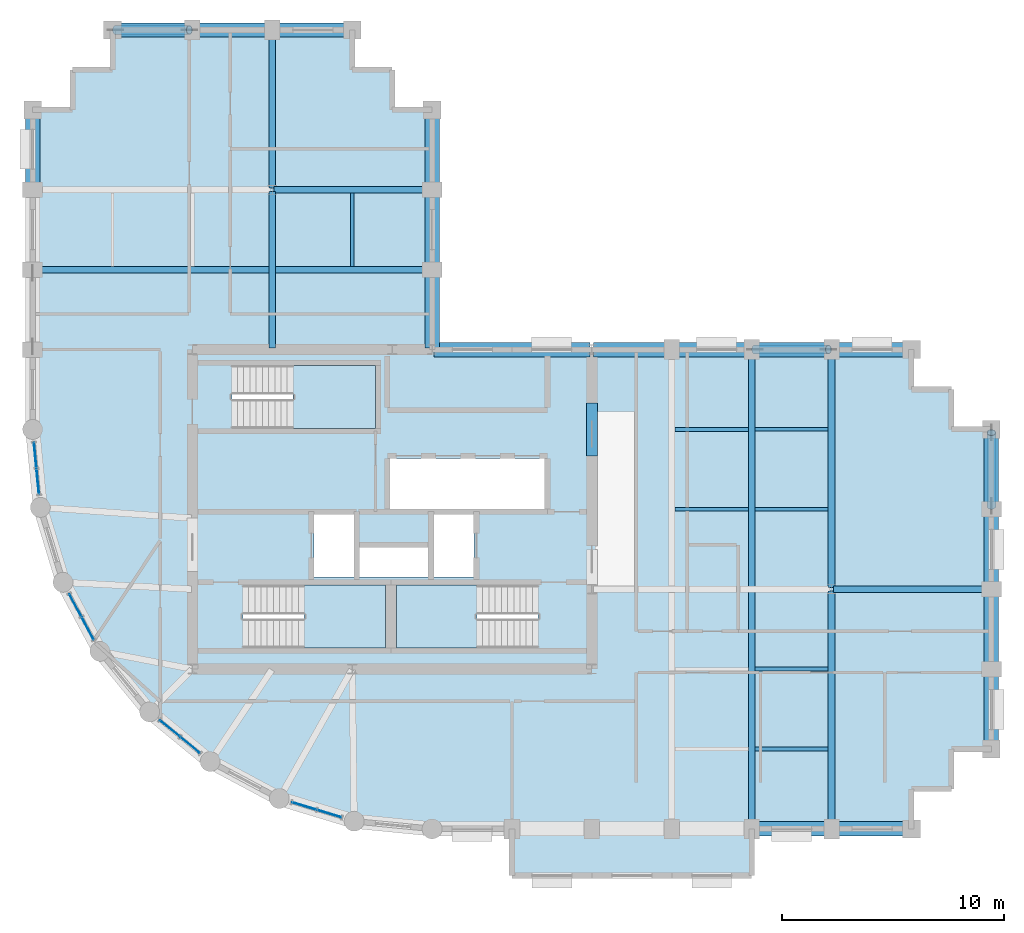
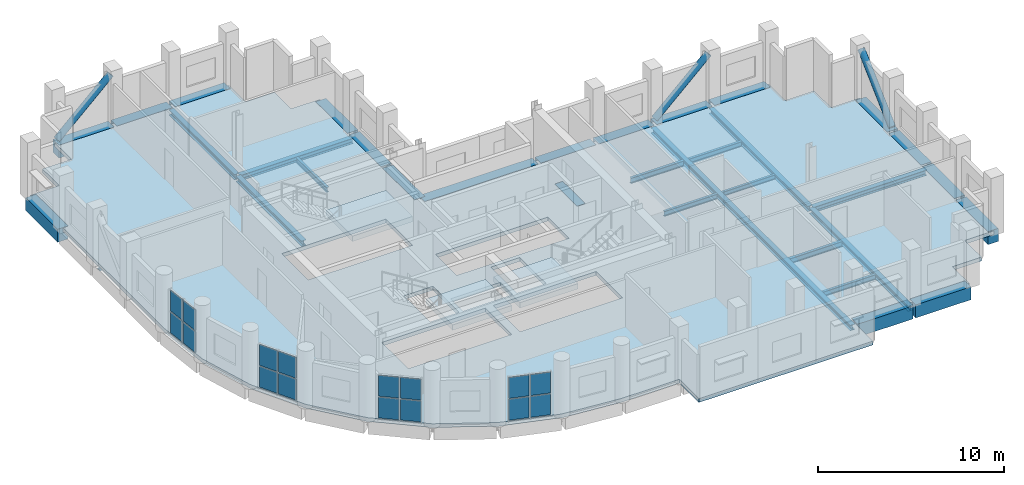
# One storey, part 5 of 11: 34 beams, 16 plates, 4 slabs, 3 members, 7 elements without a shape of their own.
"""IFC4 building model written with IfcOpenShell, lengths in metres."""

from ifc_helpers import new_model, si_unit, direction, frame, origin, origin_2d, place, context, subcontext, project, spatial, polyline, rectangle, hollow_circle, i_section, outline, extrude, material, layer, layer_set, material_profile, profile_set, type_object, element, aggregate, save


model = new_model("IFC4")

# Units and contexts
model_context = context("Model", 3, precision=1e-05, world=origin(), true_north=direction((0.0, 1.0)))
body_context = subcontext(model_context, "Body", "Model", "MODEL_VIEW")
ifc_project = project(units=[si_unit("LENGTHUNIT", "METRE"), si_unit("AREAUNIT", "SQUARE_METRE"), si_unit("VOLUMEUNIT", "CUBIC_METRE"), si_unit("PLANEANGLEUNIT", "RADIAN"), si_unit("MASSUNIT", "GRAM", prefix="KILO")], contexts=[model_context])

# Site, building, storey
site_placement = place(None, origin())
site = spatial("IfcSite", under=ifc_project, at=site_placement, CompositionType="ELEMENT")
building_placement = place(site_placement, origin())
building = spatial("IfcBuilding", under=site, at=building_placement, Name="Solnavia Interchange Tower", CompositionType="ELEMENT")
storey_placement = place(building_placement, frame((0.0, 0.0, 205.199951171875)))
storey = spatial("IfcBuildingStorey", under=building, at=storey_placement, Name="L51", CompositionType="ELEMENT", Elevation=205.199951171875)

# Beams
ifc_material_1 = material(Name="Concrete C50/60", Category="concrete")
ifc_material_profile_1 = material_profile(ifc_material_1, rectangle(XDim=0.5, YDim=0.800048828125, at=origin_2d()), Name="RC 500x800")
ifc_profile_set_1 = profile_set([ifc_material_profile_1], Name="Concrete C50/60")
beam_type_1 = type_object("IfcBeamType", Name="Beam-Coupling-RC500x800", PredefinedType="LINTEL", material=ifc_profile_set_1)
beam_1_placement = place(storey_placement, frame((32.39990234375, 20.39990234375, -0.39990234375), z_axis=(0.0, 1.0, 0.0), x_axis=(-1.0, 0.0, 0.0)))
element("IfcBeam", 1, at=beam_1_placement, inside=storey, type_object=beam_type_1, Name="CPB-L51-E2 Core coupling lintel beam", PredefinedType="LINTEL", context=body_context, shape_type="SweptSolid", body=[
    extrude(rectangle(XDim=0.5, YDim=0.800048828125, at=origin_2d()), origin(), (0.0, 0.0, 1.0), 2.400146484375),
])
ifc_material_2 = material(Name="Steel S460", Category="steel")
ifc_material_profile_2 = material_profile(ifc_material_2, i_section(OverallWidth=0.300048828125, OverallDepth=0.360107421875, WebThickness=0.012451171875, FlangeThickness=0.0224609375, FilletRadius=0.027099609375, at=origin_2d()), Name="HEB 360")
ifc_profile_set_2 = profile_set([ifc_material_profile_2], Name="Steel S460")
beam_type_2 = type_object("IfcBeamType", Name="Beam-Girder-HEB360", PredefinedType="BEAM", material=ifc_profile_set_2)
beam_2_placement = place(storey_placement, frame((43.280029296875, 14.39990234375, -0.429931640625), z_axis=(1.0, 0.0, 0.0), x_axis=(0.0, 1.0, 0.0)))
element("IfcBeam", 2, at=beam_2_placement, inside=storey, type_object=beam_type_2, Name="GRD-L51-ES02 East wing spine girder", PredefinedType="BEAM", context=body_context, shape_type="SweptSolid", body=[
    extrude(i_section(OverallWidth=0.300048828125, OverallDepth=0.360107421875, WebThickness=0.012451171875, FlangeThickness=0.0224609375, FilletRadius=0.027099609375, at=origin_2d()), origin(), (0.0, 0.0, 1.0), 7.0400390625),
])
beam_3_placement = place(storey_placement, frame((39.60009765625, 3.679931640625, -0.429931640625), z_axis=(0.0, 1.0, 0.0), x_axis=(-1.0, 0.0, 0.0)))
element("IfcBeam", 3, at=beam_3_placement, inside=storey, type_object=beam_type_2, Name="GRD-L51-EW04 East wing primary floor girder", PredefinedType="BEAM", context=body_context, shape_type="SweptSolid", body=[
    extrude(i_section(OverallWidth=0.300048828125, OverallDepth=0.360107421875, WebThickness=0.012451171875, FlangeThickness=0.0224609375, FilletRadius=0.027099609375, at=origin_2d()), origin(), (0.0, 0.0, 1.0), 21.440185546875),
])
for number, where, z_axis, x_axis, name in (
    (4, (18.0, 25.280029296875, -0.429931640625), (0.0, 1.0, 0.0), (-1.0, 0.0, 0.0), "GRD-L51-NS07 North wing spine girder"),
    (5, (18.0, 32.47998046875, -0.429931640625), (0.0, 1.0, 0.0), (-1.0, 0.0, 0.0), "GRD-L51-NS08 North wing spine girder"),
    (6, (18.080078125, 32.39990234375, -0.429931640625), (1.0, 0.0, 0.0), (0.0, 1.0, 0.0), "GRD-L51-NW11 North wing primary floor girder"),
):
    element("IfcBeam", number, at=place(storey_placement, frame(where, z_axis=z_axis, x_axis=x_axis)), inside=storey, type_object=beam_type_2, Name=name, PredefinedType="BEAM", context=body_context, shape_type="SweptSolid", body=[
        extrude(i_section(OverallWidth=0.300048828125, OverallDepth=0.360107421875, WebThickness=0.012451171875, FlangeThickness=0.0224609375, FilletRadius=0.027099609375, at=origin_2d()), origin(), (0.0, 0.0, 1.0), 7.0400390625),
    ])
ifc_material_3 = material(Name="Steel S355", Category="steel")
ifc_material_profile_3 = material_profile(ifc_material_3, i_section(OverallWidth=0.14990234375, OverallDepth=0.300048828125, WebThickness=0.007080078125, FlangeThickness=0.0107421875, FilletRadius=0.014892578125, at=origin_2d()), Name="IPE 300")
ifc_profile_set_3 = profile_set([ifc_material_profile_3], Name="Steel S355")
beam_type_3 = type_object("IfcBeamType", Name="Beam-Joist-IPE300", PredefinedType="JOIST", material=ifc_profile_set_3)
beam_4_placement = place(storey_placement, frame((39.75, 18.0, -0.39990234375), z_axis=(1.0, 0.0, 0.0), x_axis=(0.0, 1.0, 0.0)))
element("IfcBeam", 7, at=beam_4_placement, inside=storey, type_object=beam_type_3, Name="JST-L51-E06 East wing secondary joist", PredefinedType="JOIST", context=body_context, shape_type="SweptSolid", body=[
    extrude(i_section(OverallWidth=0.14990234375, OverallDepth=0.300048828125, WebThickness=0.007080078125, FlangeThickness=0.0107421875, FilletRadius=0.014892578125, at=origin_2d()), origin(), (0.0, 0.0, 1.0), 3.300048828125),
])
ifc_material_profile_4 = material_profile(ifc_material_3, i_section(OverallWidth=0.159912109375, OverallDepth=0.330078125, WebThickness=0.007568359375, FlangeThickness=0.011474609375, FilletRadius=0.01806640625, at=origin_2d()), Name="IPE 330")
ifc_profile_set_4 = profile_set([ifc_material_profile_4], Name="Steel S355")
beam_type_4 = type_object("IfcBeamType", Name="Beam-Joist-IPE330", PredefinedType="JOIST", material=ifc_profile_set_4)
for number, where, z_axis, x_axis, name in (
    (8, (39.75, 7.199951171875, -0.4150390625), (1.0, 0.0, 0.0), (0.0, 1.0, 0.0), "JST-L51-E02 East wing secondary joist"),
    (9, (36.14990234375, 18.0, -0.4150390625), (1.0, 0.0, 0.0), (0.0, 1.0, 0.0), "JST-L51-E05 East wing secondary joist"),
    (10, (39.75, 21.60009765625, -0.4150390625), (1.0, 0.0, 0.0), (0.0, 1.0, 0.0), "JST-L51-E08 East wing secondary joist"),
    (11, (21.60009765625, 28.949951171875, -0.4150390625), (0.0, 1.0, 0.0), (-1.0, 0.0, 0.0), "JST-L51-N11 North wing secondary joist"),
):
    element("IfcBeam", number, at=place(storey_placement, frame(where, z_axis=z_axis, x_axis=x_axis)), inside=storey, type_object=beam_type_4, Name=name, PredefinedType="JOIST", context=body_context, shape_type="SweptSolid", body=[
        extrude(i_section(OverallWidth=0.159912109375, OverallDepth=0.330078125, WebThickness=0.007568359375, FlangeThickness=0.011474609375, FilletRadius=0.01806640625, at=origin_2d()), origin(), (0.0, 0.0, 1.0), 3.300048828125),
    ])
ifc_material_profile_5 = material_profile(ifc_material_3, i_section(OverallWidth=0.169921875, OverallDepth=0.360107421875, WebThickness=0.008056640625, FlangeThickness=0.0126953125, FilletRadius=0.01806640625, at=origin_2d()), Name="IPE 360")
ifc_profile_set_5 = profile_set([ifc_material_profile_5], Name="Steel S355")
beam_type_5 = type_object("IfcBeamType", Name="Beam-Joist-IPE360", PredefinedType="JOIST", material=ifc_profile_set_5)
for number, where, z_axis, x_axis, name in (
    (12, (39.75, 10.800048828125, -0.429931640625), (1.0, 0.0, 0.0), (0.0, 1.0, 0.0), "JST-L51-E04 East wing secondary joist"),
    (13, (36.14990234375, 21.60009765625, -0.429931640625), (1.0, 0.0, 0.0), (0.0, 1.0, 0.0), "JST-L51-E07 East wing secondary joist"),
):
    element("IfcBeam", number, at=place(storey_placement, frame(where, z_axis=z_axis, x_axis=x_axis)), inside=storey, type_object=beam_type_5, Name=name, PredefinedType="JOIST", context=body_context, shape_type="SweptSolid", body=[
        extrude(i_section(OverallWidth=0.169921875, OverallDepth=0.360107421875, WebThickness=0.008056640625, FlangeThickness=0.0126953125, FilletRadius=0.01806640625, at=origin_2d()), origin(), (0.0, 0.0, 1.0), 3.300048828125),
    ])
ifc_material_profile_6 = material_profile(ifc_material_3, i_section(OverallWidth=0.300048828125, OverallDepth=0.31005859375, WebThickness=0.009033203125, FlangeThickness=0.015380859375, FilletRadius=0.027099609375, at=origin_2d()), Name="HEA 320")
ifc_profile_set_6 = profile_set([ifc_material_profile_6], Name="Steel S355")
beam_type_6 = type_object("IfcBeamType", Name="Beam-Primary-HEA320", PredefinedType="BEAM", material=ifc_profile_set_6)
beam_5_placement = place(storey_placement, frame((7.280029296875, 28.800048828125, -0.405029296875), z_axis=(1.0, 0.0, 0.0), x_axis=(0.0, 1.0, 0.0)))
element("IfcBeam", 14, at=beam_5_placement, inside=storey, type_object=beam_type_6, Name="GRD-L51-NW09 North wing primary floor girder", PredefinedType="BEAM", context=body_context, shape_type="SweptSolid", body=[
    extrude(i_section(OverallWidth=0.300048828125, OverallDepth=0.31005859375, WebThickness=0.009033203125, FlangeThickness=0.015380859375, FilletRadius=0.027099609375, at=origin_2d()), origin(), (0.0, 0.0, 1.0), 17.840087890625),
])
ifc_material_profile_7 = material_profile(ifc_material_3, i_section(OverallWidth=0.300048828125, OverallDepth=0.35009765625, WebThickness=0.010009765625, FlangeThickness=0.017578125, FilletRadius=0.027099609375, at=origin_2d()), Name="HEA 360")
ifc_profile_set_7 = profile_set([ifc_material_profile_7], Name="Steel S355")
beam_type_7 = type_object("IfcBeamType", Name="Beam-Primary-HEA360", PredefinedType="BEAM", material=ifc_profile_set_7)
for number, where, z_axis, x_axis, name in (
    (15, (43.199951171875, 3.679931640625, -0.425048828125), (0.0, 1.0, 0.0), (-1.0, 0.0, 0.0), "GRD-L51-EW05 East wing primary floor girder"),
    (16, (43.199951171875, 14.47998046875, -0.425048828125), (0.0, 1.0, 0.0), (-1.0, 0.0, 0.0), "GRD-L51-EW06 East wing primary floor girder"),
):
    element("IfcBeam", number, at=place(storey_placement, frame(where, z_axis=z_axis, x_axis=x_axis)), inside=storey, type_object=beam_type_7, Name=name, PredefinedType="BEAM", context=body_context, shape_type="SweptSolid", body=[
        extrude(i_section(OverallWidth=0.300048828125, OverallDepth=0.35009765625, WebThickness=0.010009765625, FlangeThickness=0.017578125, FilletRadius=0.027099609375, at=origin_2d()), origin(), (0.0, 0.0, 1.0), 10.64013671875),
    ])
ifc_material_profile_8 = material_profile(ifc_material_1, rectangle(XDim=0.64990234375, YDim=0.85009765625, at=origin_2d()), Name="RC 650x850")
ifc_profile_set_8 = profile_set([ifc_material_profile_8], Name="Concrete C50/60")
beam_type_8 = type_object("IfcBeamType", Name="Beam-Spandrel-RC650x850", PredefinedType="SPANDREL", material=ifc_profile_set_8)
beam_6_placement = place(storey_placement, frame((39.679931640625, 3.60009765625, -0.425048828125), z_axis=(1.0, 0.0, 0.0), x_axis=(0.0, 1.0, 0.0)))
element("IfcBeam", 17, at=beam_6_placement, inside=storey, type_object=beam_type_8, Name="SPB-L51-13 Framed-tube perimeter spandrel beam", PredefinedType="SPANDREL", context=body_context, shape_type="SweptSolid", body=[
    extrude(rectangle(XDim=0.64990234375, YDim=0.85009765625, at=origin_2d()), origin(), (0.0, 0.0, 1.0), 3.440185546875),
])
for number, where, z_axis, x_axis, name in (
    (18, (43.280029296875, 3.60009765625, -0.425048828125), (1.0, 0.0, 0.0), (0.0, 1.0, 0.0), "SPB-L51-14 Framed-tube perimeter spandrel beam"),
    (19, (50.39990234375, 7.280029296875, -0.425048828125), (0.0, 1.0, 0.0), (-1.0, 0.0, 0.0), "SPB-L51-15 Framed-tube perimeter spandrel beam"),
):
    element("IfcBeam", number, at=place(storey_placement, frame(where, z_axis=z_axis, x_axis=x_axis)), inside=storey, type_object=beam_type_8, Name=name, PredefinedType="SPANDREL", context=body_context, shape_type="SweptSolid", body=[
        extrude(rectangle(XDim=0.64990234375, YDim=0.85009765625, at=origin_2d()), origin(), (0.0, 0.0, 1.0), 3.43994140625),
    ])
beam_7_placement = place(storey_placement, frame((50.39990234375, 10.8798828125, -0.425048828125), z_axis=(0.0, 1.0, 0.0), x_axis=(-1.0, 0.0, 0.0)))
element("IfcBeam", 20, at=beam_7_placement, inside=storey, type_object=beam_type_8, Name="SPB-L51-16 Framed-tube perimeter spandrel beam", PredefinedType="SPANDREL", context=body_context, shape_type="SweptSolid", body=[
    extrude(rectangle(XDim=0.64990234375, YDim=0.85009765625, at=origin_2d()), origin(), (0.0, 0.0, 1.0), 3.440185546875),
])
for number, where, z_axis, x_axis, name in (
    (21, (50.39990234375, 14.47998046875, -0.425048828125), (0.0, 1.0, 0.0), (-1.0, 0.0, 0.0), "SPB-L51-17 Framed-tube perimeter spandrel beam"),
    (22, (50.39990234375, 18.080078125, -0.425048828125), (0.0, 1.0, 0.0), (-1.0, 0.0, 0.0), "SPB-L51-18 Framed-tube perimeter spandrel beam"),
    (23, (46.719970703125, 25.199951171875, -0.425048828125), (-1.0, 0.0, 0.0), (0.0, -1.0, 0.0), "SPB-L51-19 Framed-tube perimeter spandrel beam"),
):
    element("IfcBeam", number, at=place(storey_placement, frame(where, z_axis=z_axis, x_axis=x_axis)), inside=storey, type_object=beam_type_8, Name=name, PredefinedType="SPANDREL", context=body_context, shape_type="SweptSolid", body=[
        extrude(rectangle(XDim=0.64990234375, YDim=0.85009765625, at=origin_2d()), origin(), (0.0, 0.0, 1.0), 3.43994140625),
    ])
beam_8_placement = place(storey_placement, frame((43.1201171875, 25.199951171875, -0.425048828125), z_axis=(-1.0, 0.0, 0.0), x_axis=(0.0, -1.0, 0.0)))
element("IfcBeam", 24, at=beam_8_placement, inside=storey, type_object=beam_type_8, Name="SPB-L51-20 Framed-tube perimeter spandrel beam", PredefinedType="SPANDREL", context=body_context, shape_type="SweptSolid", body=[
    extrude(rectangle(XDim=0.64990234375, YDim=0.85009765625, at=origin_2d()), origin(), (0.0, 0.0, 1.0), 3.440185546875),
])
for number, where, z_axis, x_axis, name in (
    (25, (39.52001953125, 25.199951171875, -0.425048828125), (-1.0, 0.0, 0.0), (0.0, -1.0, 0.0), "SPB-L51-21 Framed-tube perimeter spandrel beam"),
    (26, (35.919921875, 25.199951171875, -0.425048828125), (-1.0, 0.0, 0.0), (0.0, -1.0, 0.0), "SPB-L51-22 Framed-tube perimeter spandrel beam"),
):
    element("IfcBeam", number, at=place(storey_placement, frame(where, z_axis=z_axis, x_axis=x_axis)), inside=storey, type_object=beam_type_8, Name=name, PredefinedType="SPANDREL", context=body_context, shape_type="SweptSolid", body=[
        extrude(rectangle(XDim=0.64990234375, YDim=0.85009765625, at=origin_2d()), origin(), (0.0, 0.0, 1.0), 3.43994140625),
    ])
beam_9_placement = place(storey_placement, frame((32.320068359375, 25.199951171875, -0.425048828125), z_axis=(-1.0, 0.0, 0.0), x_axis=(0.0, -1.0, 0.0)))
element("IfcBeam", 27, at=beam_9_placement, inside=storey, type_object=beam_type_8, Name="SPB-L51-23 Framed-tube perimeter spandrel beam", PredefinedType="SPANDREL", context=body_context, shape_type="SweptSolid", body=[
    extrude(rectangle(XDim=0.64990234375, YDim=0.85009765625, at=origin_2d()), origin(), (0.0, 0.0, 1.0), 7.0400390625),
])
beam_10_placement = place(storey_placement, frame((25.199951171875, 25.280029296875, -0.425048828125), z_axis=(0.0, 1.0, 0.0), x_axis=(-1.0, 0.0, 0.0)))
element("IfcBeam", 28, at=beam_10_placement, inside=storey, type_object=beam_type_8, Name="SPB-L51-24 Framed-tube perimeter spandrel beam", PredefinedType="SPANDREL", context=body_context, shape_type="SweptSolid", body=[
    extrude(rectangle(XDim=0.64990234375, YDim=0.85009765625, at=origin_2d()), origin(), (0.0, 0.0, 1.0), 3.43994140625),
])
beam_11_placement = place(storey_placement, frame((25.199951171875, 28.8798828125, -0.425048828125), z_axis=(0.0, 1.0, 0.0), x_axis=(-1.0, 0.0, 0.0)))
element("IfcBeam", 29, at=beam_11_placement, inside=storey, type_object=beam_type_8, Name="SPB-L51-25 Framed-tube perimeter spandrel beam", PredefinedType="SPANDREL", context=body_context, shape_type="SweptSolid", body=[
    extrude(rectangle(XDim=0.64990234375, YDim=0.85009765625, at=origin_2d()), origin(), (0.0, 0.0, 1.0), 3.440185546875),
])
for number, where, z_axis, x_axis, name in (
    (30, (25.199951171875, 32.47998046875, -0.425048828125), (0.0, 1.0, 0.0), (-1.0, 0.0, 0.0), "SPB-L51-26 Framed-tube perimeter spandrel beam"),
    (31, (21.52001953125, 39.60009765625, -0.425048828125), (-1.0, 0.0, 0.0), (0.0, -1.0, 0.0), "SPB-L51-27 Framed-tube perimeter spandrel beam"),
    (32, (17.919921875, 39.60009765625, -0.425048828125), (-1.0, 0.0, 0.0), (0.0, -1.0, 0.0), "SPB-L51-28 Framed-tube perimeter spandrel beam"),
):
    element("IfcBeam", number, at=place(storey_placement, frame(where, z_axis=z_axis, x_axis=x_axis)), inside=storey, type_object=beam_type_8, Name=name, PredefinedType="SPANDREL", context=body_context, shape_type="SweptSolid", body=[
        extrude(rectangle(XDim=0.64990234375, YDim=0.85009765625, at=origin_2d()), origin(), (0.0, 0.0, 1.0), 3.43994140625),
    ])
beam_12_placement = place(storey_placement, frame((14.320068359375, 39.60009765625, -0.425048828125), z_axis=(-1.0, 0.0, 0.0), x_axis=(0.0, -1.0, 0.0)))
element("IfcBeam", 33, at=beam_12_placement, inside=storey, type_object=beam_type_8, Name="SPB-L51-29 Framed-tube perimeter spandrel beam", PredefinedType="SPANDREL", context=body_context, shape_type="SweptSolid", body=[
    extrude(rectangle(XDim=0.64990234375, YDim=0.85009765625, at=origin_2d()), origin(), (0.0, 0.0, 1.0), 3.440185546875),
])
beam_13_placement = place(storey_placement, frame((7.199951171875, 35.919921875, -0.425048828125), z_axis=(0.0, -1.0, 0.0), x_axis=(1.0, 0.0, 0.0)))
element("IfcBeam", 34, at=beam_13_placement, inside=storey, type_object=beam_type_8, Name="SPB-L51-30 Framed-tube perimeter spandrel beam", PredefinedType="SPANDREL", context=body_context, shape_type="SweptSolid", body=[
    extrude(rectangle(XDim=0.64990234375, YDim=0.85009765625, at=origin_2d()), origin(), (0.0, 0.0, 1.0), 3.43994140625),
])

# Members
ifc_material_profile_9 = material_profile(ifc_material_2, hollow_circle(Radius=0.203125, WallThickness=0.02001953125, at=origin_2d()), Name="CHS 406.4x20")
ifc_profile_set_9 = profile_set([ifc_material_profile_9], Name="Steel S460")
member_type = type_object("IfcMemberType", Name="Brace-Perim-CHS406", PredefinedType="BRACE", material=ifc_profile_set_9)
for number, where, z_axis, x_axis, name in (
    (35, (50.39990234375, 18.139892578125, 0.179931640625), (0.0, 0.728709492854, 0.68482295159), (-1.0, 0.0, 0.0), "BRC-L51-02 Perimeter tube diagonal brace"),
    (36, (10.93994140625, 39.60009765625, 0.179931640625), (0.728709492854, 0.0, 0.68482295159), (0.0, 1.0, 0.0), "BRC-L51-03 Perimeter tube diagonal brace"),
    (37, (39.739990234375, 25.199951171875, 0.179931640625), (0.728709492854, 0.0, 0.68482295159), (0.0, 1.0, 0.0), "BRC-L51-04 Perimeter tube diagonal brace"),
):
    element("IfcMember", number, at=place(storey_placement, frame(where, z_axis=z_axis, x_axis=x_axis)), inside=storey, type_object=member_type, Name=name, PredefinedType="BRACE", context=body_context, shape_type="SweptSolid", body=[
        extrude(hollow_circle(Radius=0.203125, WallThickness=0.02001953125, at=origin_2d()), origin(), (0.0, 0.0, 1.0), 4.55615234375),
    ])

# Curtain wall, plates
ifc_material_4 = material(Name="Aluminium Alloy 6063-T6", Category="aluminium")
ifc_layer_1 = layer(ifc_material_4, 0.239990234375)
ifc_layer_set_1 = layer_set([ifc_layer_1], Name="Aluminium Alloy 6063-T6")
curtain_wall_type = type_object("IfcCurtainWallType", Name="CurtainWall-Drum-CTW2", PredefinedType="NOTDEFINED", material=ifc_layer_set_1)
curtain_wall_1_placement = place(storey_placement, origin())
curtain_wall_1 = element("IfcCurtainWall", 38, at=curtain_wall_1_placement, inside=storey, type_object=curtain_wall_type, Name="CTW-L51-D45 CTW-2 curtain wall", PredefinedType="NOTDEFINED")
ifc_material_5 = material(Name="Double-Glazed Low-E IGU Glass", Category="glass")
ifc_layer_2 = layer(ifc_material_5, 0.031982421875)
ifc_layer_set_2 = layer_set([ifc_layer_2], Name="Double-Glazed Low-E IGU Glass")
plate_type = type_object("IfcPlateType", Name="CW-Panel-Solar-32", PredefinedType="CURTAIN_PANEL", material=ifc_layer_set_2)
plate_1_placement = place(storey_placement, frame((7.314697265625, 20.435791015625, 0.06494140625), z_axis=(0.0, 0.0, 1.0), x_axis=(0.098043088306, -0.995182170678, 0.0)))
plate_1 = element("IfcPlate", 39, at=plate_1_placement, type_object=plate_type, Name="CTW-2 panel 1.1", PredefinedType="CURTAIN_PANEL", context=body_context, shape_type="SweptSolid", body=[
    extrude(rectangle(XDim=1.114501953125, YDim=0.031982421875, at=origin_2d()), origin(), (0.0, 0.0, 1.0), 1.367431640625),
])
plate_2_placement = place(storey_placement, frame((7.314697265625, 20.435791015625, 1.49755859375), z_axis=(0.0, 0.0, 1.0), x_axis=(0.098043088306, -0.995182170678, 0.0)))
plate_2 = element("IfcPlate", 40, at=plate_2_placement, type_object=plate_type, Name="CTW-2 panel 1.2", PredefinedType="CURTAIN_PANEL", context=body_context, shape_type="SweptSolid", body=[
    extrude(rectangle(XDim=1.114501953125, YDim=0.031982421875, at=origin_2d()), origin(), (0.0, 0.0, 1.0), 1.367431640625),
])
plate_3_placement = place(storey_placement, frame((7.431396484375, 19.252197265625, 0.06494140625), z_axis=(0.0, 0.0, 1.0), x_axis=(0.098043088306, -0.995182170678, 0.0)))
plate_3 = element("IfcPlate", 41, at=plate_3_placement, type_object=plate_type, Name="CTW-2 panel 2.1", PredefinedType="CURTAIN_PANEL", context=body_context, shape_type="SweptSolid", body=[
    extrude(rectangle(XDim=1.114501953125, YDim=0.031982421875, at=origin_2d()), origin(), (0.0, 0.0, 1.0), 1.367431640625),
])
plate_4_placement = place(storey_placement, frame((7.431396484375, 19.252197265625, 1.49755859375), z_axis=(0.0, 0.0, 1.0), x_axis=(0.098043088306, -0.995182170678, 0.0)))
plate_4 = element("IfcPlate", 42, at=plate_4_placement, type_object=plate_type, Name="CTW-2 panel 2.2", PredefinedType="CURTAIN_PANEL", context=body_context, shape_type="SweptSolid", body=[
    extrude(rectangle(XDim=1.114501953125, YDim=0.031982421875, at=origin_2d()), origin(), (0.0, 0.0, 1.0), 1.367431640625),
])
aggregate(curtain_wall_1, [plate_1, plate_2, plate_3, plate_4])

curtain_wall_2_placement = place(storey_placement, origin())
curtain_wall_2 = element("IfcCurtainWall", 43, at=curtain_wall_2_placement, inside=storey, type_object=curtain_wall_type, Name="CTW-L51-D47 CTW-2 curtain wall", PredefinedType="NOTDEFINED")
plate_5_placement = place(storey_placement, frame((9.12158203125, 13.680419921875, 0.06494140625), z_axis=(0.0, 0.0, 1.0), x_axis=(0.471560876964, -0.881833509976, 0.0)))
plate_5 = element("IfcPlate", 44, at=plate_5_placement, type_object=plate_type, Name="CTW-2 panel 1.1", PredefinedType="CURTAIN_PANEL", context=body_context, shape_type="SweptSolid", body=[
    extrude(rectangle(XDim=1.114501953125, YDim=0.031982421875, at=origin_2d()), origin(), (0.0, 0.0, 1.0), 1.367431640625),
])
plate_6_placement = place(storey_placement, frame((9.12158203125, 13.680419921875, 1.49755859375), z_axis=(0.0, 0.0, 1.0), x_axis=(0.471560876964, -0.881833509976, 0.0)))
plate_6 = element("IfcPlate", 45, at=plate_6_placement, type_object=plate_type, Name="CTW-2 panel 1.2", PredefinedType="CURTAIN_PANEL", context=body_context, shape_type="SweptSolid", body=[
    extrude(rectangle(XDim=1.114501953125, YDim=0.031982421875, at=origin_2d()), origin(), (0.0, 0.0, 1.0), 1.367431640625),
])
plate_7_placement = place(storey_placement, frame((9.682373046875, 12.631591796875, 0.06494140625), z_axis=(0.0, 0.0, 1.0), x_axis=(0.471560876964, -0.881833509976, 0.0)))
plate_7 = element("IfcPlate", 46, at=plate_7_placement, type_object=plate_type, Name="CTW-2 panel 2.1", PredefinedType="CURTAIN_PANEL", context=body_context, shape_type="SweptSolid", body=[
    extrude(rectangle(XDim=1.114501953125, YDim=0.031982421875, at=origin_2d()), origin(), (0.0, 0.0, 1.0), 1.367431640625),
])
plate_8_placement = place(storey_placement, frame((9.682373046875, 12.631591796875, 1.49755859375), z_axis=(0.0, 0.0, 1.0), x_axis=(0.471560876964, -0.881833509976, 0.0)))
plate_8 = element("IfcPlate", 47, at=plate_8_placement, type_object=plate_type, Name="CTW-2 panel 2.2", PredefinedType="CURTAIN_PANEL", context=body_context, shape_type="SweptSolid", body=[
    extrude(rectangle(XDim=1.114501953125, YDim=0.031982421875, at=origin_2d()), origin(), (0.0, 0.0, 1.0), 1.367431640625),
])
aggregate(curtain_wall_2, [plate_5, plate_6, plate_7, plate_8])

curtain_wall_3_placement = place(storey_placement, origin())
curtain_wall_3 = element("IfcCurtainWall", 48, at=curtain_wall_3_placement, inside=storey, type_object=curtain_wall_type, Name="CTW-L51-D49 CTW-2 curtain wall", PredefinedType="NOTDEFINED")
plate_9_placement = place(storey_placement, frame((13.376220703125, 8.130126953125, 0.06494140625), z_axis=(0.0, 0.0, 1.0), x_axis=(0.773103093557, -0.634280384951, 0.0)))
plate_9 = element("IfcPlate", 49, at=plate_9_placement, type_object=plate_type, Name="CTW-2 panel 1.1", PredefinedType="CURTAIN_PANEL", context=body_context, shape_type="SweptSolid", body=[
    extrude(rectangle(XDim=1.1142578125, YDim=0.031982421875, at=origin_2d()), origin(), (0.0, 0.0, 1.0), 1.367431640625),
])
plate_10_placement = place(storey_placement, frame((13.376220703125, 8.130126953125, 1.49755859375), z_axis=(0.0, 0.0, 1.0), x_axis=(0.773103093557, -0.634280384951, 0.0)))
plate_10 = element("IfcPlate", 50, at=plate_10_placement, type_object=plate_type, Name="CTW-2 panel 1.2", PredefinedType="CURTAIN_PANEL", context=body_context, shape_type="SweptSolid", body=[
    extrude(rectangle(XDim=1.1142578125, YDim=0.031982421875, at=origin_2d()), origin(), (0.0, 0.0, 1.0), 1.367431640625),
])
plate_11_placement = place(storey_placement, frame((14.295654296875, 7.375732421875, 0.06494140625), z_axis=(0.0, 0.0, 1.0), x_axis=(0.773103093557, -0.634280384951, 0.0)))
plate_11 = element("IfcPlate", 51, at=plate_11_placement, type_object=plate_type, Name="CTW-2 panel 2.1", PredefinedType="CURTAIN_PANEL", context=body_context, shape_type="SweptSolid", body=[
    extrude(rectangle(XDim=1.1142578125, YDim=0.031982421875, at=origin_2d()), origin(), (0.0, 0.0, 1.0), 1.367431640625),
])
plate_12_placement = place(storey_placement, frame((14.295654296875, 7.375732421875, 1.49755859375), z_axis=(0.0, 0.0, 1.0), x_axis=(0.773103093557, -0.634280384951, 0.0)))
plate_12 = element("IfcPlate", 52, at=plate_12_placement, type_object=plate_type, Name="CTW-2 panel 2.2", PredefinedType="CURTAIN_PANEL", context=body_context, shape_type="SweptSolid", body=[
    extrude(rectangle(XDim=1.1142578125, YDim=0.031982421875, at=origin_2d()), origin(), (0.0, 0.0, 1.0), 1.367431640625),
])
aggregate(curtain_wall_3, [plate_9, plate_10, plate_11, plate_12])

curtain_wall_4_placement = place(storey_placement, origin())
curtain_wall_4 = element("IfcCurtainWall", 53, at=curtain_wall_4_placement, inside=storey, type_object=curtain_wall_type, Name="CTW-L51-D51 CTW-2 curtain wall", PredefinedType="NOTDEFINED")
plate_13_placement = place(storey_placement, frame((19.43115234375, 4.630615234375, 0.06494140625), z_axis=(0.0, 0.0, 1.0), x_axis=(0.956942072515, -0.290278951786, 0.0)))
plate_13 = element("IfcPlate", 54, at=plate_13_placement, type_object=plate_type, Name="CTW-2 panel 1.1", PredefinedType="CURTAIN_PANEL", context=body_context, shape_type="SweptSolid", body=[
    extrude(rectangle(XDim=1.114013671875, YDim=0.031982421875, at=origin_2d()), origin(), (0.0, 0.0, 1.0), 1.367431640625),
])
plate_14_placement = place(storey_placement, frame((19.43115234375, 4.630615234375, 1.49755859375), z_axis=(0.0, 0.0, 1.0), x_axis=(0.956942072515, -0.290278951786, 0.0)))
plate_14 = element("IfcPlate", 55, at=plate_14_placement, type_object=plate_type, Name="CTW-2 panel 1.2", PredefinedType="CURTAIN_PANEL", context=body_context, shape_type="SweptSolid", body=[
    extrude(rectangle(XDim=1.114013671875, YDim=0.031982421875, at=origin_2d()), origin(), (0.0, 0.0, 1.0), 1.367431640625),
])
plate_15_placement = place(storey_placement, frame((20.56884765625, 4.285400390625, 0.06494140625), z_axis=(0.0, 0.0, 1.0), x_axis=(0.956942072515, -0.290278951786, 0.0)))
plate_15 = element("IfcPlate", 56, at=plate_15_placement, type_object=plate_type, Name="CTW-2 panel 2.1", PredefinedType="CURTAIN_PANEL", context=body_context, shape_type="SweptSolid", body=[
    extrude(rectangle(XDim=1.114013671875, YDim=0.031982421875, at=origin_2d()), origin(), (0.0, 0.0, 1.0), 1.367431640625),
])
plate_16_placement = place(storey_placement, frame((20.56884765625, 4.285400390625, 1.49755859375), z_axis=(0.0, 0.0, 1.0), x_axis=(0.956942072515, -0.290278951786, 0.0)))
plate_16 = element("IfcPlate", 57, at=plate_16_placement, type_object=plate_type, Name="CTW-2 panel 2.2", PredefinedType="CURTAIN_PANEL", context=body_context, shape_type="SweptSolid", body=[
    extrude(rectangle(XDim=1.114013671875, YDim=0.031982421875, at=origin_2d()), origin(), (0.0, 0.0, 1.0), 1.367431640625),
])
aggregate(curtain_wall_4, [plate_13, plate_14, plate_15, plate_16])

# Stair, slab
ifc_material_6 = material(Name="Concrete C40/50", Category="concrete")
stair_type = type_object("IfcStairType", Name="Stair-Dogleg-RC", PredefinedType="HALF_TURN_STAIR", material=ifc_material_6)
stair_1_placement = place(storey_placement, origin())
stair_1 = element("IfcStair", 58, at=stair_1_placement, inside=storey, type_object=stair_type, Name="L51 Core exit stair 1", PredefinedType="HALF_TURN_STAIR")
ifc_layer_3 = layer(ifc_material_6, 0.35009765625)
ifc_layer_set_3 = layer_set([ifc_layer_3], Name="Concrete C40/50")
slab_type_1 = type_object("IfcSlabType", Name="Slab-StairLanding-350", PredefinedType="LANDING", material=ifc_layer_set_3)
slab_1_placement = place(storey_placement, frame((0.0, 0.0, 1.550048828125)))
slab_1 = element("IfcSlab", 59, at=slab_1_placement, type_object=slab_type_1, Name="ST-1 landing 1", PredefinedType="LANDING", context=body_context, shape_type="SweptSolid", body=[
    extrude(outline(polyline([(19.427978515625, 11.75), (23.10009765625, 11.75), (23.10009765625, 14.590087890625), (19.427978515625, 14.590087890625), (19.427978515625, 11.75)])), origin(), (0.0, 0.0, 1.0), 0.35009765625),
])
aggregate(stair_1, [slab_1])

stair_2_placement = place(storey_placement, origin())
stair_2 = element("IfcStair", 60, at=stair_2_placement, inside=storey, type_object=stair_type, Name="L51 Core exit stair 2", PredefinedType="HALF_TURN_STAIR")
slab_2_placement = place(storey_placement, frame((0.0, 0.0, 1.550048828125)))
slab_2 = element("IfcSlab", 61, at=slab_2_placement, type_object=slab_type_1, Name="ST-2 landing 1", PredefinedType="LANDING", context=body_context, shape_type="SweptSolid", body=[
    extrude(outline(polyline([(23.60009765625, 11.75), (27.221923828125, 11.75), (27.221923828125, 14.590087890625), (23.60009765625, 14.590087890625), (23.60009765625, 11.75)])), origin(), (0.0, 0.0, 1.0), 0.35009765625),
])
aggregate(stair_2, [slab_2])

stair_3_placement = place(storey_placement, origin())
stair_3 = element("IfcStair", 62, at=stair_3_placement, inside=storey, type_object=stair_type, Name="L51 Core exit stair 3", PredefinedType="HALF_TURN_STAIR")
slab_3_placement = place(storey_placement, frame((0.0, 0.0, 1.550048828125)))
slab_3 = element("IfcSlab", 63, at=slab_3_placement, type_object=slab_type_1, Name="ST-3 landing 1", PredefinedType="LANDING", context=body_context, shape_type="SweptSolid", body=[
    extrude(outline(polyline([(18.927978515625, 21.64990234375), (22.64990234375, 21.64990234375), (22.64990234375, 24.489990234375), (18.927978515625, 24.489990234375), (18.927978515625, 21.64990234375)])), origin(), (0.0, 0.0, 1.0), 0.35009765625),
])
aggregate(stair_3, [slab_3])

# Slab
ifc_layer_4 = layer(ifc_material_6, 0.25)
ifc_layer_set_4 = layer_set([ifc_layer_4], Name="Concrete C40/50")
slab_type_2 = type_object("IfcSlabType", Name="Slab-Tower-250", PredefinedType="FLOOR", material=ifc_layer_set_4)
slab_4_placement = place(storey_placement, frame((0.0, 0.0, -0.25)))
element("IfcSlab", 64, at=slab_4_placement, inside=storey, type_object=slab_type_2, Name="SLB-L51-01 Structural floor slab", PredefinedType="FLOOR", context=body_context, shape_type="SweptSolid", body=[
    extrude(outline(polyline([(25.199951171875, 3.60009765625), (28.800048828125, 3.60009765625), (28.800048828125, 1.5), (39.60009765625, 1.5), (39.60009765625, 3.60009765625), (46.800048828125, 3.60009765625), (46.800048828125, 5.39990234375), (48.60009765625, 5.39990234375), (48.60009765625, 7.199951171875), (50.39990234375, 7.199951171875), (50.39990234375, 21.60009765625), (48.60009765625, 21.60009765625), (48.60009765625, 23.39990234375), (46.800048828125, 23.39990234375), (46.800048828125, 25.199951171875), (25.199951171875, 25.199951171875), (25.199951171875, 36.0), (23.39990234375, 36.0), (23.39990234375, 37.800048828125), (21.60009765625, 37.800048828125), (21.60009765625, 39.60009765625), (10.800048828125, 39.60009765625), (10.800048828125, 37.800048828125), (9.0, 37.800048828125), (9.0, 36.0), (7.199951171875, 36.0), (7.199951171875, 21.60009765625), (7.5458984375, 18.087890625), (8.570068359375, 14.7119140625), (10.23388671875, 11.60009765625), (12.471923828125, 8.8720703125), (15.199951171875, 6.634033203125), (18.31201171875, 4.969970703125), (21.68798828125, 3.946044921875), (25.199951171875, 3.60009765625)]), holes=[polyline([(16.675048828125, 11.75), (23.10009765625, 11.75), (23.10009765625, 14.590087890625), (16.675048828125, 14.590087890625), (16.675048828125, 11.75)]), polyline([(23.60009765625, 11.75), (29.97509765625, 11.75), (29.97509765625, 14.590087890625), (23.60009765625, 14.590087890625), (23.60009765625, 11.75)]), polyline([(16.175048828125, 21.64990234375), (22.64990234375, 21.64990234375), (22.64990234375, 24.489990234375), (16.175048828125, 24.489990234375), (16.175048828125, 21.64990234375)]), polyline([(19.8798828125, 14.9599609375), (21.679931640625, 14.9599609375), (21.679931640625, 17.780029296875), (19.8798828125, 17.780029296875), (19.8798828125, 14.9599609375)]), polyline([(25.280029296875, 14.9599609375), (27.080078125, 14.9599609375), (27.080078125, 17.780029296875), (25.280029296875, 17.780029296875), (25.280029296875, 14.9599609375)]), polyline([(21.919921875, 14.9599609375), (25.02001953125, 14.9599609375), (25.02001953125, 16.280029296875), (21.919921875, 16.280029296875), (21.919921875, 14.9599609375)]), polyline([(23.300048828125, 18.02001953125), (30.280029296875, 18.02001953125), (30.280029296875, 20.300048828125), (23.300048828125, 20.300048828125), (23.300048828125, 18.02001953125)])]), origin(), (0.0, 0.0, 1.0), 0.25),
])

save(model, "model.ifc")
